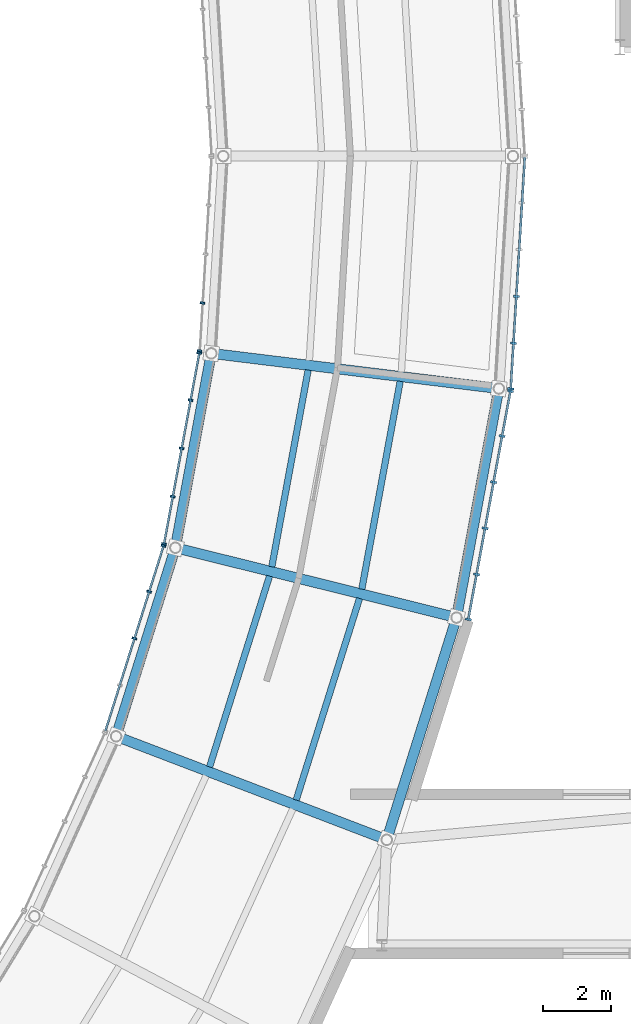
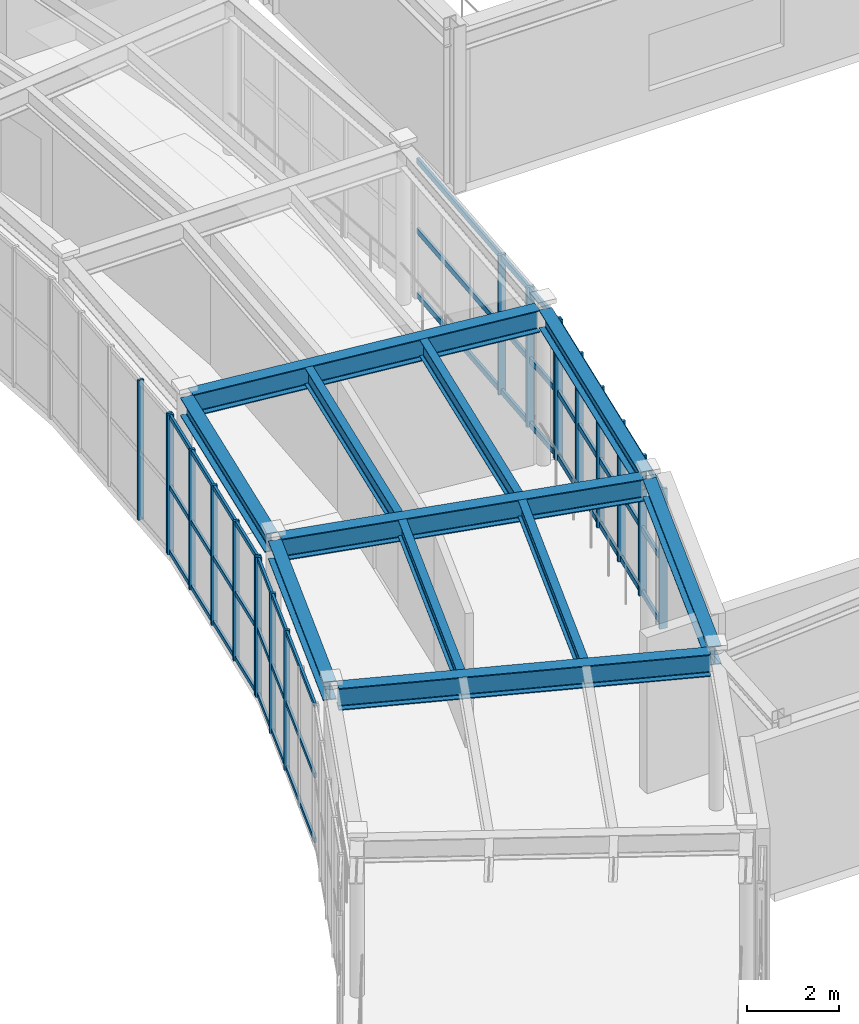
# One storey, part 36 of 103: 31 members, 11 beams, 5 elements without a shape of their own.
"""IFC4 building model written with IfcOpenShell, lengths in metres."""

from ifc_helpers import new_model, si_unit, direction, frame, origin, origin_2d, place, context, subcontext, project, spatial, rectangle, i_section, extrude, material, material_profile, profile_set, type_object, element, aggregate, save


model = new_model("IFC4")

# Units and contexts
model_context = context("Model", 3, precision=1e-05, world=origin(), true_north=direction((0.0, 1.0)))
body_context = subcontext(model_context, "Body", "Model", "MODEL_VIEW")
ifc_project = project(units=[si_unit("LENGTHUNIT", "METRE"), si_unit("AREAUNIT", "SQUARE_METRE"), si_unit("VOLUMEUNIT", "CUBIC_METRE"), si_unit("PLANEANGLEUNIT", "RADIAN"), si_unit("MASSUNIT", "GRAM", prefix="KILO")], contexts=[model_context])

# Site, building, storey
site_placement = place(None, origin())
site = spatial("IfcSite", under=ifc_project, at=site_placement, CompositionType="ELEMENT")
building_placement = place(site_placement, origin())
building = spatial("IfcBuilding", under=site, at=building_placement, Name="Varnklinge Art Gallery", CompositionType="ELEMENT")
storey_placement = place(building_placement, frame((0.0, 0.0, 5.10009765625)))
storey = spatial("IfcBuildingStorey", under=building, at=storey_placement, Name="L01", CompositionType="ELEMENT", Elevation=5.10009765625)

# Beams
ifc_material_1 = material(Name="Steel S355", Category="steel")
ifc_material_profile_1 = material_profile(ifc_material_1, i_section(OverallWidth=0.300048828125, OverallDepth=0.590087890625, WebThickness=0.012939453125, FlangeThickness=0.02490234375, FilletRadius=0.027099609375, at=origin_2d()), Name="HEA 600")
ifc_profile_set_1 = profile_set([ifc_material_profile_1], Name="Steel S355")
beam_type_1 = type_object("IfcBeamType", Name="BM-06", PredefinedType="BEAM", material=ifc_profile_set_1)
beam_1_placement = place(storey_placement, frame((107.415771484375, 34.952880859375, 3.885009765625), z_axis=(-0.934013153302, 0.357238616976, 0.0), x_axis=(-0.357238616976, -0.934013153302, 0.0)))
element("IfcBeam", 1, at=beam_1_placement, inside=storey, type_object=beam_type_1, Name="L01 BM-06 BM-V2-L02-R04", PredefinedType="BEAM", context=body_context, shape_type="SweptSolid", body=[
    extrude(i_section(OverallWidth=0.300048828125, OverallDepth=0.590087890625, WebThickness=0.012939453125, FlangeThickness=0.02490234375, FilletRadius=0.027099609375, at=origin_2d()), origin(), (0.0, 0.0, 1.0), 8.237060546875),
])
beam_2_placement = place(storey_placement, frame((109.46240234375, 41.468017578125, 3.885009765625), z_axis=(-0.970493677731, 0.241126567355, 0.0), x_axis=(-0.241126567355, -0.970493677731, 0.0)))
element("IfcBeam", 2, at=beam_2_placement, inside=storey, type_object=beam_type_1, Name="L01 BM-06 BM-V2-L02-R05", PredefinedType="BEAM", context=body_context, shape_type="SweptSolid", body=[
    extrude(i_section(OverallWidth=0.300048828125, OverallDepth=0.590087890625, WebThickness=0.012939453125, FlangeThickness=0.02490234375, FilletRadius=0.027099609375, at=origin_2d()), origin(), (0.0, 0.0, 1.0), 8.236572265625),
])
beam_3_placement = place(storey_placement, frame((110.702880859375, 48.18359375, 3.885009765625), z_axis=(-0.992595580805, 0.121466098009, 0.0), x_axis=(-0.121466098009, -0.992595580805, 0.0)))
element("IfcBeam", 3, at=beam_3_placement, inside=storey, type_object=beam_type_1, Name="L01 BM-06 BM-V2-L02-R06", PredefinedType="BEAM", context=body_context, shape_type="SweptSolid", body=[
    extrude(i_section(OverallWidth=0.300048828125, OverallDepth=0.590087890625, WebThickness=0.012939453125, FlangeThickness=0.02490234375, FilletRadius=0.027099609375, at=origin_2d()), origin(), (0.0, 0.0, 1.0), 8.23681640625),
])
ifc_material_2 = material(Name="Steel S355", Category="steel")
ifc_material_profile_2 = material_profile(ifc_material_2, i_section(OverallWidth=0.18994140625, OverallDepth=0.449951171875, WebThickness=0.009521484375, FlangeThickness=0.0146484375, FilletRadius=0.02099609375, at=origin_2d()), Name="IPE 450")
ifc_profile_set_2 = profile_set([ifc_material_profile_2], Name="Steel S355")
beam_type_2 = type_object("IfcBeamType", Name="JST-04", PredefinedType="JOIST", material=ifc_profile_set_2)
beam_4_placement = place(storey_placement, frame((104.8837890625, 36.07080078125, 3.954833984375), z_axis=(0.29971318729, 0.954029352465, 0.0), x_axis=(-0.954029352465, 0.29971318729, 0.0)))
element("IfcBeam", 4, at=beam_4_placement, inside=storey, type_object=beam_type_2, Name="L01 JST-04 JST-V2-L02-04-1", PredefinedType="JOIST", context=body_context, shape_type="SweptSolid", body=[
    extrude(i_section(OverallWidth=0.18994140625, OverallDepth=0.449951171875, WebThickness=0.009521484375, FlangeThickness=0.0146484375, FilletRadius=0.02099609375, at=origin_2d()), origin(), (0.0, 0.0, 1.0), 6.213623046875),
])
beam_5_placement = place(storey_placement, frame((102.337890625, 37.04443359375, 3.954833984375), z_axis=(0.299756442746, 0.954015762465, 0.0), x_axis=(-0.954015762465, 0.299756442746, 0.0)))
element("IfcBeam", 5, at=beam_5_placement, inside=storey, type_object=beam_type_2, Name="L01 JST-04 JST-V2-L02-04-2", PredefinedType="JOIST", context=body_context, shape_type="SweptSolid", body=[
    extrude(i_section(OverallWidth=0.18994140625, OverallDepth=0.449951171875, WebThickness=0.009521484375, FlangeThickness=0.0146484375, FilletRadius=0.02099609375, at=origin_2d()), origin(), (0.0, 0.0, 1.0), 5.882080078125),
])
beam_6_placement = place(storey_placement, frame((106.8134765625, 42.270263671875, 3.954833984375), z_axis=(0.181640421722, 0.983365017273, 0.0), x_axis=(-0.983365017273, 0.181640421722, 0.0)))
element("IfcBeam", 6, at=beam_6_placement, inside=storey, type_object=beam_type_2, Name="L01 JST-04 JST-V2-L02-05-1", PredefinedType="JOIST", context=body_context, shape_type="SweptSolid", body=[
    extrude(i_section(OverallWidth=0.18994140625, OverallDepth=0.449951171875, WebThickness=0.009521484375, FlangeThickness=0.0146484375, FilletRadius=0.02099609375, at=origin_2d()), origin(), (0.0, 0.0, 1.0), 6.213623046875),
])
beam_7_placement = place(storey_placement, frame((104.16845703125, 42.927490234375, 3.954833984375), z_axis=(0.181631460363, 0.983366672512, 0.0), x_axis=(-0.983366672512, 0.181631460363, 0.0)))
element("IfcBeam", 7, at=beam_7_placement, inside=storey, type_object=beam_type_2, Name="L01 JST-04 JST-V2-L02-05-2", PredefinedType="JOIST", context=body_context, shape_type="SweptSolid", body=[
    extrude(i_section(OverallWidth=0.18994140625, OverallDepth=0.449951171875, WebThickness=0.009521484375, FlangeThickness=0.0146484375, FilletRadius=0.02099609375, at=origin_2d()), origin(), (0.0, 0.0, 1.0), 5.882080078125),
])

# Curtain wall, members
ifc_material_3 = material(Name="Anodised Aluminium", Category="aluminium")
curtain_wall_type_1 = type_object("IfcCurtainWallType", Name="CW-R02", PredefinedType="USERDEFINED", material=ifc_material_3)
curtain_wall_1_placement = place(storey_placement, origin())
curtain_wall_1 = element("IfcCurtainWall", 8, at=curtain_wall_1_placement, inside=storey, type_object=curtain_wall_type_1, Name="L01 Curtain Wall CW-V2O-L01-05", ObjectType="UNITISED CURTAIN WALL", PredefinedType="USERDEFINED")
ifc_material_4 = material(Name="Anodised Aluminium", Category="aluminium")
ifc_material_profile_3 = material_profile(ifc_material_4, rectangle(XDim=0.06494140625, YDim=0.179931640625, at=origin_2d()), Name="ALU 65x180")
ifc_profile_set_3 = profile_set([ifc_material_profile_3], Name="Anodised Aluminium")
member_type_1 = type_object("IfcMemberType", Name="MUL-01", PredefinedType="MULLION", material=ifc_profile_set_3)
member_1_placement = place(storey_placement, frame((109.944091796875, 41.3818359375, 0.0), z_axis=(0.0, 0.0, 1.0), x_axis=(0.18172066947, 0.983350191075, 0.0)))
member_1 = element("IfcMember", 9, at=member_1_placement, type_object=member_type_1, Name="CW-V2O-L01-05 Mullion 1", PredefinedType="MULLION", context=body_context, shape_type="SweptSolid", body=[
    extrude(rectangle(XDim=0.06494140625, YDim=0.179931640625, at=origin_2d()), origin(), (0.0, 0.0, 1.0), 3.72998046875),
])
member_2_placement = place(storey_placement, frame((110.1884765625, 42.70458984375, 0.0), z_axis=(0.0, 0.0, 1.0), x_axis=(0.18172066947, 0.983350191075, 0.0)))
member_2 = element("IfcMember", 10, at=member_2_placement, type_object=member_type_1, Name="CW-V2O-L01-05 Mullion 2", PredefinedType="MULLION", context=body_context, shape_type="SweptSolid", body=[
    extrude(rectangle(XDim=0.06494140625, YDim=0.179931640625, at=origin_2d()), origin(), (0.0, 0.0, 1.0), 3.72998046875),
])
member_3_placement = place(storey_placement, frame((110.438720703125, 44.0595703125, 0.0), z_axis=(0.0, 0.0, 1.0), x_axis=(0.18172066947, 0.983350191075, 0.0)))
member_3 = element("IfcMember", 11, at=member_3_placement, type_object=member_type_1, Name="CW-V2O-L01-05 Mullion 3", PredefinedType="MULLION", context=body_context, shape_type="SweptSolid", body=[
    extrude(rectangle(XDim=0.06494140625, YDim=0.179931640625, at=origin_2d()), origin(), (0.0, 0.0, 1.0), 3.72998046875),
])
member_4_placement = place(storey_placement, frame((110.68896484375, 45.414306640625, 0.0), z_axis=(0.0, 0.0, 1.0), x_axis=(0.18172066947, 0.983350191075, 0.0)))
member_4 = element("IfcMember", 12, at=member_4_placement, type_object=member_type_1, Name="CW-V2O-L01-05 Mullion 4", PredefinedType="MULLION", context=body_context, shape_type="SweptSolid", body=[
    extrude(rectangle(XDim=0.06494140625, YDim=0.179931640625, at=origin_2d()), origin(), (0.0, 0.0, 1.0), 3.72998046875),
])
member_5_placement = place(storey_placement, frame((110.939208984375, 46.769287109375, 0.0), z_axis=(0.0, 0.0, 1.0), x_axis=(0.18172066947, 0.983350191075, 0.0)))
member_5 = element("IfcMember", 13, at=member_5_placement, type_object=member_type_1, Name="CW-V2O-L01-05 Mullion 5", PredefinedType="MULLION", context=body_context, shape_type="SweptSolid", body=[
    extrude(rectangle(XDim=0.06494140625, YDim=0.179931640625, at=origin_2d()), origin(), (0.0, 0.0, 1.0), 3.72998046875),
])
member_6_placement = place(storey_placement, frame((111.18359375, 48.092041015625, 0.0), z_axis=(0.0, 0.0, 1.0), x_axis=(0.18172066947, 0.983350191075, 0.0)))
member_6 = element("IfcMember", 14, at=member_6_placement, type_object=member_type_1, Name="CW-V2O-L01-05 Mullion 6", PredefinedType="MULLION", context=body_context, shape_type="SweptSolid", body=[
    extrude(rectangle(XDim=0.06494140625, YDim=0.179931640625, at=origin_2d()), origin(), (0.0, 0.0, 1.0), 3.72998046875),
])

curtain_wall_2_placement = place(storey_placement, origin())
curtain_wall_2 = element("IfcCurtainWall", 15, at=curtain_wall_2_placement, inside=storey, type_object=curtain_wall_type_1, Name="L01 Curtain Wall CW-V2O-L01-06", ObjectType="UNITISED CURTAIN WALL", PredefinedType="USERDEFINED")
member_7_placement = place(storey_placement, frame((111.19140625, 48.156494140625, 0.0), z_axis=(0.0, 0.0, 1.0), x_axis=(0.06087433122, 0.9981454382, 0.0)))
member_7 = element("IfcMember", 16, at=member_7_placement, type_object=member_type_1, Name="CW-V2O-L01-06 Mullion 1", PredefinedType="MULLION", context=body_context, shape_type="SweptSolid", body=[
    extrude(rectangle(XDim=0.06494140625, YDim=0.179931640625, at=origin_2d()), origin(), (0.0, 0.0, 1.0), 3.72998046875),
])
member_8_placement = place(storey_placement, frame((111.273193359375, 49.499267578125, 0.0), z_axis=(0.0, 0.0, 1.0), x_axis=(0.06087433122, 0.9981454382, 0.0)))
member_8 = element("IfcMember", 17, at=member_8_placement, type_object=member_type_1, Name="CW-V2O-L01-06 Mullion 2", PredefinedType="MULLION", context=body_context, shape_type="SweptSolid", body=[
    extrude(rectangle(XDim=0.06494140625, YDim=0.179931640625, at=origin_2d()), origin(), (0.0, 0.0, 1.0), 3.72998046875),
])
member_9_placement = place(storey_placement, frame((111.35693359375, 50.87451171875, 0.0), z_axis=(0.0, 0.0, 1.0), x_axis=(0.06087433122, 0.9981454382, 0.0)))
member_9 = element("IfcMember", 18, at=member_9_placement, type_object=member_type_1, Name="CW-V2O-L01-06 Mullion 3", PredefinedType="MULLION", context=body_context, shape_type="SweptSolid", body=[
    extrude(rectangle(XDim=0.06494140625, YDim=0.179931640625, at=origin_2d()), origin(), (0.0, 0.0, 1.0), 3.72998046875),
])

ifc_material_5 = material(Name="Anodised Aluminium", Category="aluminium")
curtain_wall_type_2 = type_object("IfcCurtainWallType", Name="CW-R04", PredefinedType="USERDEFINED", material=ifc_material_5)
curtain_wall_3_placement = place(storey_placement, origin())
curtain_wall_3 = element("IfcCurtainWall", 19, at=curtain_wall_3_placement, inside=storey, type_object=curtain_wall_type_2, Name="L01 Curtain Wall CW-V2I-L01-04", ObjectType="UNITISED CURTAIN WALL", PredefinedType="USERDEFINED")
ifc_material_6 = material(Name="Anodised Aluminium", Category="aluminium")
ifc_material_profile_4 = material_profile(ifc_material_6, rectangle(XDim=0.06005859375, YDim=0.139892578125, at=origin_2d()), Name="ALU 60x140")
ifc_profile_set_4 = profile_set([ifc_material_profile_4], Name="Anodised Aluminium")
member_type_2 = type_object("IfcMemberType", Name="MUL-03", PredefinedType="MULLION", material=ifc_profile_set_4)
member_10_placement = place(storey_placement, frame((100.984130859375, 43.543701171875, 0.0), z_axis=(0.0, 0.0, 1.0), x_axis=(-0.299706904751, -0.954031326134, 0.0)))
member_10 = element("IfcMember", 20, at=member_10_placement, type_object=member_type_2, Name="CW-V2I-L01-04 Mullion 1", PredefinedType="MULLION", context=body_context, shape_type="SweptSolid", body=[
    extrude(rectangle(XDim=0.06005859375, YDim=0.139892578125, at=origin_2d()), origin(), (0.0, 0.0, 1.0), 3.72998046875),
])
member_11_placement = place(storey_placement, frame((100.560791015625, 42.197021484375, 0.0), z_axis=(0.0, 0.0, 1.0), x_axis=(-0.299706904751, -0.954031326134, 0.0)))
member_11 = element("IfcMember", 21, at=member_11_placement, type_object=member_type_2, Name="CW-V2I-L01-04 Mullion 2", PredefinedType="MULLION", context=body_context, shape_type="SweptSolid", body=[
    extrude(rectangle(XDim=0.06005859375, YDim=0.139892578125, at=origin_2d()), origin(), (0.0, 0.0, 1.0), 3.72998046875),
])
member_12_placement = place(storey_placement, frame((100.128662109375, 40.8212890625, 0.0), z_axis=(0.0, 0.0, 1.0), x_axis=(-0.299706904751, -0.954031326134, 0.0)))
member_12 = element("IfcMember", 22, at=member_12_placement, type_object=member_type_2, Name="CW-V2I-L01-04 Mullion 3", PredefinedType="MULLION", context=body_context, shape_type="SweptSolid", body=[
    extrude(rectangle(XDim=0.06005859375, YDim=0.139892578125, at=origin_2d()), origin(), (0.0, 0.0, 1.0), 3.72998046875),
])

curtain_wall_4_placement = place(storey_placement, origin())
curtain_wall_4 = element("IfcCurtainWall", 23, at=curtain_wall_4_placement, inside=storey, type_object=curtain_wall_type_2, Name="L01 Curtain Wall CW-V2I-L01-05", ObjectType="UNITISED CURTAIN WALL", PredefinedType="USERDEFINED")
member_13_placement = place(storey_placement, frame((102.03515625, 49.214111328125, 0.0), z_axis=(0.0, 0.0, 1.0), x_axis=(-0.181549039717, -0.983381892338, 0.0)))
member_13 = element("IfcMember", 24, at=member_13_placement, type_object=member_type_2, Name="CW-V2I-L01-05 Mullion 1", PredefinedType="MULLION", context=body_context, shape_type="SweptSolid", body=[
    extrude(rectangle(XDim=0.06005859375, YDim=0.139892578125, at=origin_2d()), origin(), (0.0, 0.0, 1.0), 3.72998046875),
])
member_14_placement = place(storey_placement, frame((101.77880859375, 47.82568359375, 0.0), z_axis=(0.0, 0.0, 1.0), x_axis=(-0.181549039717, -0.983381892338, 0.0)))
member_14 = element("IfcMember", 25, at=member_14_placement, type_object=member_type_2, Name="CW-V2I-L01-05 Mullion 2", PredefinedType="MULLION", context=body_context, shape_type="SweptSolid", body=[
    extrude(rectangle(XDim=0.06005859375, YDim=0.139892578125, at=origin_2d()), origin(), (0.0, 0.0, 1.0), 3.72998046875),
])
member_15_placement = place(storey_placement, frame((101.516845703125, 46.407958984375, 0.0), z_axis=(0.0, 0.0, 1.0), x_axis=(-0.181549039717, -0.983381892338, 0.0)))
member_15 = element("IfcMember", 26, at=member_15_placement, type_object=member_type_2, Name="CW-V2I-L01-05 Mullion 3", PredefinedType="MULLION", context=body_context, shape_type="SweptSolid", body=[
    extrude(rectangle(XDim=0.06005859375, YDim=0.139892578125, at=origin_2d()), origin(), (0.0, 0.0, 1.0), 3.72998046875),
])
member_16_placement = place(storey_placement, frame((101.2548828125, 44.990234375, 0.0), z_axis=(0.0, 0.0, 1.0), x_axis=(-0.181549039717, -0.983381892338, 0.0)))
member_16 = element("IfcMember", 27, at=member_16_placement, type_object=member_type_2, Name="CW-V2I-L01-05 Mullion 4", PredefinedType="MULLION", context=body_context, shape_type="SweptSolid", body=[
    extrude(rectangle(XDim=0.06005859375, YDim=0.139892578125, at=origin_2d()), origin(), (0.0, 0.0, 1.0), 3.72998046875),
])
member_17_placement = place(storey_placement, frame((100.99853515625, 43.601806640625, 0.0), z_axis=(0.0, 0.0, 1.0), x_axis=(-0.181549039717, -0.983381892338, 0.0)))
member_17 = element("IfcMember", 28, at=member_17_placement, type_object=member_type_2, Name="CW-V2I-L01-05 Mullion 5", PredefinedType="MULLION", context=body_context, shape_type="SweptSolid", body=[
    extrude(rectangle(XDim=0.06005859375, YDim=0.139892578125, at=origin_2d()), origin(), (0.0, 0.0, 1.0), 3.72998046875),
])

curtain_wall_5_placement = place(storey_placement, origin())
curtain_wall_5 = element("IfcCurtainWall", 29, at=curtain_wall_5_placement, inside=storey, type_object=curtain_wall_type_2, Name="L01 Curtain Wall CW-V2I-L01-06", ObjectType="UNITISED CURTAIN WALL", PredefinedType="USERDEFINED")
member_18_placement = place(storey_placement, frame((102.12841796875, 50.6826171875, 0.0), z_axis=(0.0, 0.0, 1.0), x_axis=(-0.06087433122, -0.9981454382, 0.0)))
member_18 = element("IfcMember", 30, at=member_18_placement, type_object=member_type_2, Name="CW-V2I-L01-06 Mullion 4", PredefinedType="MULLION", context=body_context, shape_type="SweptSolid", body=[
    extrude(rectangle(XDim=0.06005859375, YDim=0.139892578125, at=origin_2d()), origin(), (0.0, 0.0, 1.0), 3.72998046875),
])
member_19_placement = place(storey_placement, frame((102.04248046875, 49.2734375, 0.0), z_axis=(0.0, 0.0, 1.0), x_axis=(-0.06087433122, -0.9981454382, 0.0)))
member_19 = element("IfcMember", 31, at=member_19_placement, type_object=member_type_2, Name="CW-V2I-L01-06 Mullion 5", PredefinedType="MULLION", context=body_context, shape_type="SweptSolid", body=[
    extrude(rectangle(XDim=0.06005859375, YDim=0.139892578125, at=origin_2d()), origin(), (0.0, 0.0, 1.0), 3.72998046875),
])
aggregate(curtain_wall_5, [member_18, member_19])

# Beams
ifc_material_7 = material(Name="Steel S355", Category="steel")
ifc_material_profile_5 = material_profile(ifc_material_7, i_section(OverallWidth=0.300048828125, OverallDepth=0.489990234375, WebThickness=0.011962890625, FlangeThickness=0.02294921875, FilletRadius=0.027099609375, at=origin_2d()), Name="HEA 500")
ifc_profile_set_5 = profile_set([ifc_material_profile_5], Name="Steel S355")
beam_type_3 = type_object("IfcBeamType", Name="SPB-01", PredefinedType="SPANDREL", material=ifc_profile_set_5)
beam_8_placement = place(storey_placement, frame((107.58837890625, 35.036376953125, 3.934814453125), z_axis=(0.299727009364, 0.95402501008, 0.0), x_axis=(-0.95402501008, 0.299727009364, 0.0)))
element("IfcBeam", 32, at=beam_8_placement, inside=storey, type_object=beam_type_3, Name="L01 SPB-01 BM-V2-L02-O04", PredefinedType="SPANDREL", context=body_context, shape_type="SweptSolid", body=[
    extrude(i_section(OverallWidth=0.300048828125, OverallDepth=0.489990234375, WebThickness=0.011962890625, FlangeThickness=0.02294921875, FilletRadius=0.027099609375, at=origin_2d()), origin(), (0.0, 0.0, 1.0), 6.56591796875),
])
beam_9_placement = place(storey_placement, frame((99.63330078125, 38.0791015625, 3.934814453125), z_axis=(0.299742786947, 0.954020053077, 0.0), x_axis=(-0.954020053077, 0.299742786947, 0.0)))
element("IfcBeam", 33, at=beam_9_placement, inside=storey, type_object=beam_type_3, Name="L01 SPB-01 BM-V2-L02-I04", PredefinedType="SPANDREL", context=body_context, shape_type="SweptSolid", body=[
    extrude(i_section(OverallWidth=0.300048828125, OverallDepth=0.489990234375, WebThickness=0.011962890625, FlangeThickness=0.02294921875, FilletRadius=0.027099609375, at=origin_2d()), origin(), (0.0, 0.0, 1.0), 5.529541015625),
])
beam_10_placement = place(storey_placement, frame((109.623779296875, 41.572021484375, 3.934814453125), z_axis=(0.181672496831, 0.983359092039, 0.0), x_axis=(-0.983359092039, 0.181672496831, 0.0)))
element("IfcBeam", 34, at=beam_10_placement, inside=storey, type_object=beam_type_3, Name="L01 SPB-01 BM-V2-L02-O05", PredefinedType="SPANDREL", context=body_context, shape_type="SweptSolid", body=[
    extrude(i_section(OverallWidth=0.300048828125, OverallDepth=0.489990234375, WebThickness=0.011962890625, FlangeThickness=0.02294921875, FilletRadius=0.027099609375, at=origin_2d()), origin(), (0.0, 0.0, 1.0), 6.566162109375),
])
beam_11_placement = place(storey_placement, frame((101.358154296875, 43.625732421875, 3.934814453125), z_axis=(0.181635496942, 0.983365926932, 0.0), x_axis=(-0.983365926932, 0.181635496942, 0.0)))
element("IfcBeam", 35, at=beam_11_placement, inside=storey, type_object=beam_type_3, Name="L01 SPB-01 BM-V2-L02-I05", PredefinedType="SPANDREL", context=body_context, shape_type="SweptSolid", body=[
    extrude(i_section(OverallWidth=0.300048828125, OverallDepth=0.489990234375, WebThickness=0.011962890625, FlangeThickness=0.02294921875, FilletRadius=0.027099609375, at=origin_2d()), origin(), (0.0, 0.0, 1.0), 5.52978515625),
])

# Member
ifc_material_8 = material(Name="Anodised Aluminium", Category="aluminium")
ifc_material_profile_6 = material_profile(ifc_material_8, rectangle(XDim=0.06494140625, YDim=0.14990234375, at=origin_2d()), Name="ALU 65x150")
ifc_profile_set_6 = profile_set([ifc_material_profile_6], Name="Anodised Aluminium")
member_type_3 = type_object("IfcMemberType", Name="TRN-01", PredefinedType="USERDEFINED", material=ifc_profile_set_6)
member_20_placement = place(storey_placement, frame((109.944091796875, 41.3818359375, 0.074951171875), z_axis=(0.181645952551, 0.98336399564, 0.0), x_axis=(-0.98336399564, 0.181645952551, 0.0)))
member_20 = element("IfcMember", 36, at=member_20_placement, type_object=member_type_3, Name="CW-V2O-L01-05 Transom 1", ObjectType="TRANSOM", PredefinedType="USERDEFINED", context=body_context, shape_type="SweptSolid", body=[
    extrude(rectangle(XDim=0.06494140625, YDim=0.14990234375, at=origin_2d()), origin(), (0.0, 0.0, 1.0), 6.82373046875),
])

member_21_placement = place(storey_placement, frame((109.944091796875, 41.3818359375, 1.790283203125), z_axis=(0.181645952551, 0.98336399564, 0.0), x_axis=(-0.98336399564, 0.181645952551, 0.0)))
member_21 = element("IfcMember", 37, at=member_21_placement, type_object=member_type_3, Name="CW-V2O-L01-05 Transom 2", ObjectType="TRANSOM", PredefinedType="USERDEFINED", context=body_context, shape_type="SweptSolid", body=[
    extrude(rectangle(XDim=0.06494140625, YDim=0.14990234375, at=origin_2d()), origin(), (0.0, 0.0, 1.0), 6.82373046875),
])

member_22_placement = place(storey_placement, frame((109.944091796875, 41.3818359375, 3.65478515625), z_axis=(0.181645952551, 0.98336399564, 0.0), x_axis=(-0.98336399564, 0.181645952551, 0.0)))
member_22 = element("IfcMember", 38, at=member_22_placement, type_object=member_type_3, Name="CW-V2O-L01-05 Transom 3", ObjectType="TRANSOM", PredefinedType="USERDEFINED", context=body_context, shape_type="SweptSolid", body=[
    extrude(rectangle(XDim=0.06494140625, YDim=0.14990234375, at=origin_2d()), origin(), (0.0, 0.0, 1.0), 6.82373046875),
])

aggregate(curtain_wall_1, [member_1, member_2, member_3, member_4, member_5, member_6, member_20, member_21, member_22])

member_23_placement = place(storey_placement, frame((111.19140625, 48.156494140625, 0.074951171875), z_axis=(0.060823446783, 0.998148540209, 0.0), x_axis=(-0.998148540209, 0.060823446783, 0.0)))
member_23 = element("IfcMember", 39, at=member_23_placement, type_object=member_type_3, Name="CW-V2O-L01-06 Transom 1", ObjectType="TRANSOM", PredefinedType="USERDEFINED", context=body_context, shape_type="SweptSolid", body=[
    extrude(rectangle(XDim=0.06494140625, YDim=0.14990234375, at=origin_2d()), origin(), (0.0, 0.0, 1.0), 6.82373046875),
])

member_24_placement = place(storey_placement, frame((111.19140625, 48.156494140625, 1.790283203125), z_axis=(0.060823446783, 0.998148540209, 0.0), x_axis=(-0.998148540209, 0.060823446783, 0.0)))
member_24 = element("IfcMember", 40, at=member_24_placement, type_object=member_type_3, Name="CW-V2O-L01-06 Transom 2", ObjectType="TRANSOM", PredefinedType="USERDEFINED", context=body_context, shape_type="SweptSolid", body=[
    extrude(rectangle(XDim=0.06494140625, YDim=0.14990234375, at=origin_2d()), origin(), (0.0, 0.0, 1.0), 6.82373046875),
])

member_25_placement = place(storey_placement, frame((111.19140625, 48.156494140625, 3.65478515625), z_axis=(0.060823446783, 0.998148540209, 0.0), x_axis=(-0.998148540209, 0.060823446783, 0.0)))
member_25 = element("IfcMember", 41, at=member_25_placement, type_object=member_type_3, Name="CW-V2O-L01-06 Transom 3", ObjectType="TRANSOM", PredefinedType="USERDEFINED", context=body_context, shape_type="SweptSolid", body=[
    extrude(rectangle(XDim=0.06494140625, YDim=0.14990234375, at=origin_2d()), origin(), (0.0, 0.0, 1.0), 6.82373046875),
])

aggregate(curtain_wall_2, [member_7, member_8, member_9, member_23, member_24, member_25])

ifc_material_9 = material(Name="Anodised Aluminium", Category="aluminium")
ifc_material_profile_7 = material_profile(ifc_material_9, rectangle(XDim=0.06005859375, YDim=0.1201171875, at=origin_2d()), Name="ALU 60x120")
ifc_profile_set_7 = profile_set([ifc_material_profile_7], Name="Anodised Aluminium")
member_type_4 = type_object("IfcMemberType", Name="TRN-02", PredefinedType="USERDEFINED", material=ifc_profile_set_7)
member_26_placement = place(storey_placement, frame((100.984130859375, 43.543701171875, 0.059814453125), z_axis=(-0.29975317852, -0.954016788095, 0.0), x_axis=(0.954016788095, -0.29975317852, 0.0)))
member_26 = element("IfcMember", 42, at=member_26_placement, type_object=member_type_4, Name="CW-V2I-L01-04 Transom 1", ObjectType="TRANSOM", PredefinedType="USERDEFINED", context=body_context, shape_type="SweptSolid", body=[
    extrude(rectangle(XDim=0.06005859375, YDim=0.1201171875, at=origin_2d()), origin(), (0.0, 0.0, 1.0), 5.70703125),
])

member_27_placement = place(storey_placement, frame((100.984130859375, 43.543701171875, 1.790283203125), z_axis=(-0.29975317852, -0.954016788095, 0.0), x_axis=(0.954016788095, -0.29975317852, 0.0)))
member_27 = element("IfcMember", 43, at=member_27_placement, type_object=member_type_4, Name="CW-V2I-L01-04 Transom 2", ObjectType="TRANSOM", PredefinedType="USERDEFINED", context=body_context, shape_type="SweptSolid", body=[
    extrude(rectangle(XDim=0.06005859375, YDim=0.1201171875, at=origin_2d()), origin(), (0.0, 0.0, 1.0), 5.70703125),
])

member_28_placement = place(storey_placement, frame((100.984130859375, 43.543701171875, 3.669921875), z_axis=(-0.29975317852, -0.954016788095, 0.0), x_axis=(0.954016788095, -0.29975317852, 0.0)))
member_28 = element("IfcMember", 44, at=member_28_placement, type_object=member_type_4, Name="CW-V2I-L01-04 Transom 3", ObjectType="TRANSOM", PredefinedType="USERDEFINED", context=body_context, shape_type="SweptSolid", body=[
    extrude(rectangle(XDim=0.06005859375, YDim=0.1201171875, at=origin_2d()), origin(), (0.0, 0.0, 1.0), 5.70703125),
])

aggregate(curtain_wall_3, [member_10, member_11, member_12, member_26, member_27, member_28])

member_29_placement = place(storey_placement, frame((102.03515625, 49.214111328125, 0.059814453125), z_axis=(-0.181632759384, -0.983366432577, 0.0), x_axis=(0.983366432577, -0.181632759384, 0.0)))
member_29 = element("IfcMember", 45, at=member_29_placement, type_object=member_type_4, Name="CW-V2I-L01-05 Transom 1", ObjectType="TRANSOM", PredefinedType="USERDEFINED", context=body_context, shape_type="SweptSolid", body=[
    extrude(rectangle(XDim=0.06005859375, YDim=0.1201171875, at=origin_2d()), origin(), (0.0, 0.0, 1.0), 5.707275390625),
])

member_30_placement = place(storey_placement, frame((102.03515625, 49.214111328125, 1.790283203125), z_axis=(-0.181632759384, -0.983366432577, 0.0), x_axis=(0.983366432577, -0.181632759384, 0.0)))
member_30 = element("IfcMember", 46, at=member_30_placement, type_object=member_type_4, Name="CW-V2I-L01-05 Transom 2", ObjectType="TRANSOM", PredefinedType="USERDEFINED", context=body_context, shape_type="SweptSolid", body=[
    extrude(rectangle(XDim=0.06005859375, YDim=0.1201171875, at=origin_2d()), origin(), (0.0, 0.0, 1.0), 5.707275390625),
])

member_31_placement = place(storey_placement, frame((102.03515625, 49.214111328125, 3.669921875), z_axis=(-0.181632759384, -0.983366432577, 0.0), x_axis=(0.983366432577, -0.181632759384, 0.0)))
member_31 = element("IfcMember", 47, at=member_31_placement, type_object=member_type_4, Name="CW-V2I-L01-05 Transom 3", ObjectType="TRANSOM", PredefinedType="USERDEFINED", context=body_context, shape_type="SweptSolid", body=[
    extrude(rectangle(XDim=0.06005859375, YDim=0.1201171875, at=origin_2d()), origin(), (0.0, 0.0, 1.0), 5.707275390625),
])

aggregate(curtain_wall_4, [member_13, member_14, member_15, member_16, member_17, member_29, member_30, member_31])

save(model, "model.ifc")
